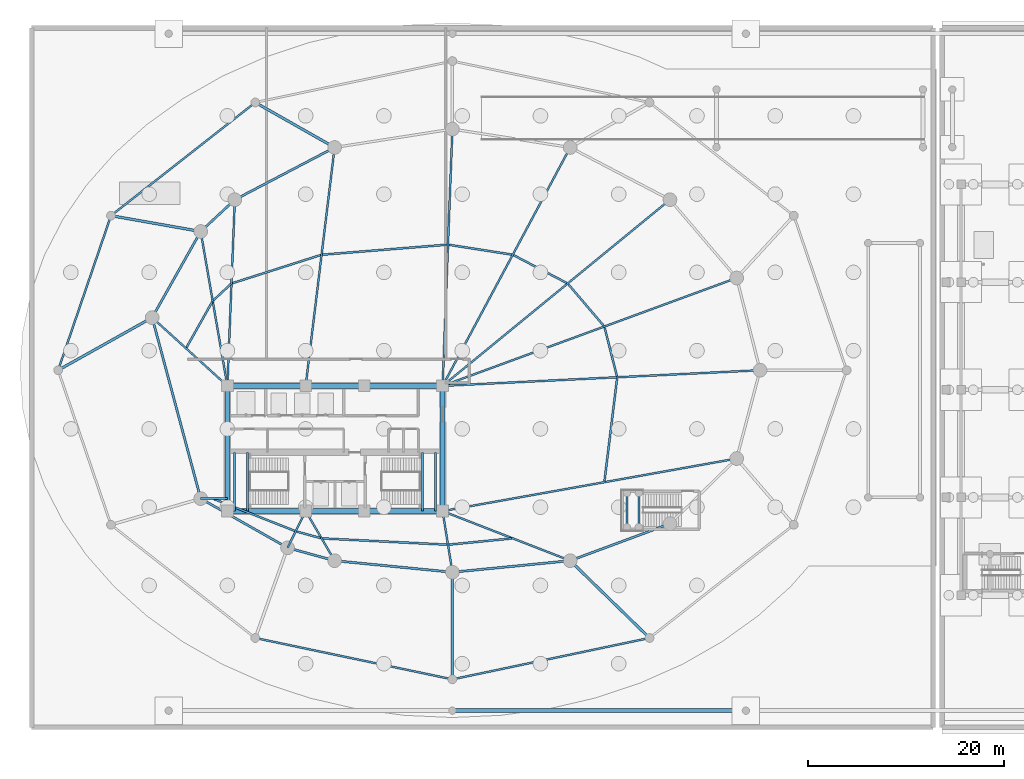
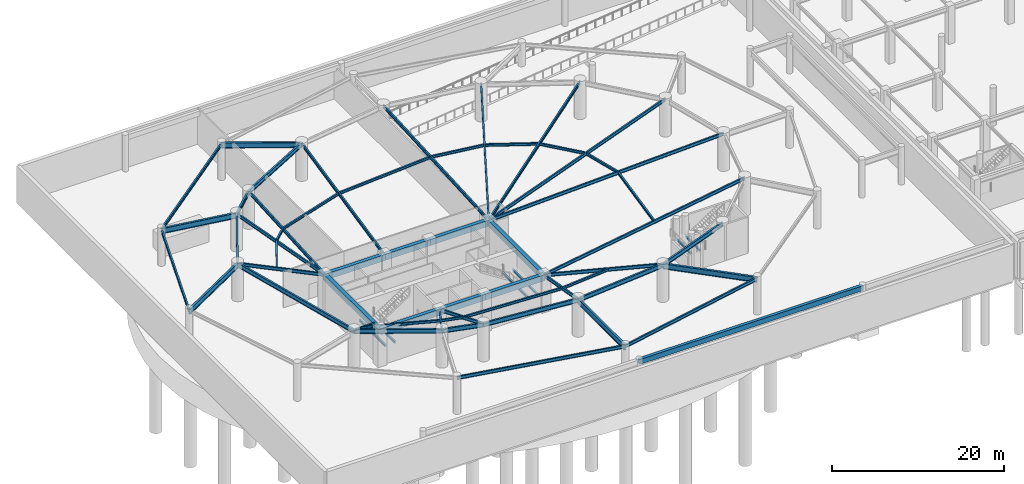
# One storey, part 3 of 22: 61 beams.
"""IFC4 building model written with IfcOpenShell, lengths in metres."""

import ifcopenshell
import ifcopenshell.guid

model = None  # the IFC model being written
_history = None  # IfcOwnerHistory: only IFC2X3 demands one
_inside = {}  # id of a spatial element -> (the spatial element, [elements in it])
_under = {}  # id of a project, library or spatial element -> (it, [spatial elements below it])
_declared = {}  # id of a project -> (the project, [libraries it declares])
_typed = {}  # id of a type object -> (the type object, [elements of that type])
_made_of = {}  # id of a material, layer set ... -> (it, [elements and type objects made of it])


def new_model(schema):
    """Start an empty IFC model of exactly this schema.

    Asked for "IFC4X3", IfcOpenShell would pick the latest addendum, in which some entities
    have other attributes; the version numbers below select the first issue.
    IFC2X3 requires an IfcOwnerHistory on every rooted entity: one is made here for all.
    """
    global model, _history
    if schema == "IFC4X3":
        model = ifcopenshell.file(schema_version=(4, 3, 0, 0))
    else:
        model = ifcopenshell.file(schema=schema)
    _inside.clear()
    _under.clear()
    _declared.clear()
    _typed.clear()
    _made_of.clear()
    _history = None
    if model.schema == "IFC2X3":
        org = make("IfcOrganization", Name="unknown")
        user = make(
            "IfcPersonAndOrganization",
            ThePerson=make("IfcPerson", FamilyName="unknown"),
            TheOrganization=org,
        )
        app = make(
            "IfcApplication",
            ApplicationDeveloper=org,
            Version="unknown",
            ApplicationFullName="unknown",
            ApplicationIdentifier="unknown",
        )
        _history = make(
            "IfcOwnerHistory",
            OwningUser=user,
            OwningApplication=app,
            ChangeAction="ADDED",
            CreationDate=0,
        )
    return model


def make(cls, **values):
    """One entity of the class cls with the attributes given. An attribute that is None is left unset."""
    return model.create_entity(
        cls, **{name: value for name, value in values.items() if value is not None}
    )


def rooted(cls, **values):
    """An entity with a GlobalId (a new one), such as an element, a storey or a relation."""
    return make(cls, GlobalId=ifcopenshell.guid.new(), OwnerHistory=_history, **values)


def si_unit(unit_type, name, prefix=None):
    """IfcSIUnit, for example si_unit("LENGTHUNIT", "METRE", prefix="MILLI")."""
    return make("IfcSIUnit", UnitType=unit_type, Prefix=prefix, Name=name)


def assignment(units):
    """IfcUnitAssignment: the units of a project."""
    return None if units is None else make("IfcUnitAssignment", Units=units)


def point(xyz):
    """IfcCartesianPoint."""
    return None if xyz is None else make("IfcCartesianPoint", Coordinates=xyz)


def direction(xyz):
    """IfcDirection."""
    return None if xyz is None else make("IfcDirection", DirectionRatios=xyz)


def frame(location, z_axis=None, x_axis=None):
    """IfcAxis2Placement3D, a coordinate frame: its origin and axes. An axis left out is left unset."""
    return make(
        "IfcAxis2Placement3D",
        Location=point(location),
        Axis=direction(z_axis),
        RefDirection=direction(x_axis),
    )


def frame_2d(location, x_axis=None):
    """IfcAxis2Placement2D, a coordinate frame in the plane: its origin and x axis."""
    return make(
        "IfcAxis2Placement2D", Location=point(location), RefDirection=direction(x_axis)
    )


def origin():
    """The frame at (0, 0, 0) with its axes left unset."""
    return frame((0.0, 0.0, 0.0))


def origin_2d():
    """The frame at (0, 0) in the plane with its x axis left unset."""
    return frame_2d((0.0, 0.0))


def place(relative_to, where):
    """IfcLocalPlacement: puts the frame where relative to a parent placement (None: the world)."""
    return make(
        "IfcLocalPlacement", PlacementRelTo=relative_to, RelativePlacement=where
    )


def context(
    kind, dimensions, precision=None, world=None, true_north=None, identifier=None
):
    """IfcGeometricRepresentationContext, for example the 3D "Model" context."""
    return make(
        "IfcGeometricRepresentationContext",
        ContextIdentifier=identifier,
        ContextType=kind,
        CoordinateSpaceDimension=dimensions,
        Precision=precision,
        WorldCoordinateSystem=world,
        TrueNorth=true_north,
    )


def subcontext(parent, identifier, kind, view, scale=None):
    """IfcGeometricRepresentationSubContext, for example "Body" below "Model"."""
    return make(
        "IfcGeometricRepresentationSubContext",
        ContextIdentifier=identifier,
        ContextType=kind,
        ParentContext=parent,
        TargetScale=scale,
        TargetView=view,
    )


def project(units=None, contexts=None):
    """IfcProject with its units and contexts."""
    return rooted(
        "IfcProject",
        Name="project",
        RepresentationContexts=contexts,
        UnitsInContext=assignment(units),
    )


def spatial(cls, under=None, at=None, **own):
    """A site, building, storey or space (cls), placed at a placement, below another one or the project."""
    s = rooted(cls, ObjectPlacement=at, **own)
    if under is not None:
        _under.setdefault(under.id(), (under, []))[1].append(s)
    return s


def profile(cls, at=None, kind="AREA", **sizes):
    """A parametric profile (cls). Its sizes go by their IFC names, for example OverallWidth=200.0."""
    return make(cls, ProfileType=kind, Position=at, **sizes)


def rectangle(**sizes):
    """IfcRectangleProfileDef."""
    return profile("IfcRectangleProfileDef", **sizes)


def i_section(**sizes):
    """IfcIShapeProfileDef."""
    return profile("IfcIShapeProfileDef", **sizes)


def extrude(swept, where, along, depth):
    """IfcExtrudedAreaSolid: the profile swept, set in the frame where, extruded along a direction by depth."""
    return make(
        "IfcExtrudedAreaSolid",
        SweptArea=swept,
        Position=where,
        ExtrudedDirection=direction(along),
        Depth=depth,
    )


def shape(context_of_items, identifier, shape_type, items):
    """IfcShapeRepresentation: the items that make up one representation, for example the "Body"."""
    return make(
        "IfcShapeRepresentation",
        ContextOfItems=context_of_items,
        RepresentationIdentifier=identifier,
        RepresentationType=shape_type,
        Items=items,
    )


def material(Name=None, Category=None):
    """IfcMaterial."""
    return make("IfcMaterial", Name=Name, Category=Category)


def material_profile(
    of_material, cross_section, Name=None, Category=None, Priority=None
):
    """IfcMaterialProfile: a cross section and its material."""
    return make(
        "IfcMaterialProfile",
        Name=Name,
        Material=of_material,
        Profile=cross_section,
        Priority=Priority,
        Category=Category,
    )


def profile_set(profiles, Name=None, composite=None):
    """IfcMaterialProfileSet."""
    return make(
        "IfcMaterialProfileSet",
        Name=Name,
        MaterialProfiles=profiles,
        CompositeProfile=composite,
    )


def made_of(thing, what):
    """Note that an element or type object is made of a material, layer set ...; save() writes the relation."""
    if what is not None:
        _made_of.setdefault(what.id(), (what, []))[1].append(thing)
    return thing


def type_object(cls, material=None, **own):
    """A type object (cls), such as IfcWallType, which elements share."""
    return made_of(rooted(cls, **own), material)


def element(
    cls,
    number,
    at=None,
    inside=None,
    cuts=None,
    type_object=None,
    material=None,
    context=None,
    identifier="Body",
    shape_type=None,
    held_by="IfcProductDefinitionShape",
    body=None,
    shapes=None,
    **own,
):
    """One element of the class cls, such as IfcWall. Its Tag is "e" and its number.

    at: its placement. inside: the storey or other place that contains it. cuts: it is an
    opening in that element (IfcRelVoidsElement). A single representation is given by context,
    identifier, shape_type and body (its items); several are given by shapes. held_by: the class
    of the entity that holds the representations. save() writes the other relations.
    """
    e = rooted(cls, Tag="e%d" % number, ObjectPlacement=at, **own)
    if body is not None:
        shapes = [shape(context, identifier, shape_type, body)]
    if shapes is not None:
        e.Representation = make(held_by, Representations=shapes)
    if inside is not None:
        _inside.setdefault(inside.id(), (inside, []))[1].append(e)
    if cuts is not None:
        rooted(
            "IfcRelVoidsElement", RelatingBuildingElement=cuts, RelatedOpeningElement=e
        )
    if type_object is not None:
        _typed.setdefault(type_object.id(), (type_object, []))[1].append(e)
    return made_of(e, material)


def aggregate(whole, parts):
    """IfcRelAggregates: a whole, such as a stair, and the parts it consists of."""
    return rooted("IfcRelAggregates", RelatingObject=whole, RelatedObjects=parts)


def save(model, path):
    """Write the relations noted so far, then the file.

    IfcRelAggregates (storeys below a building ...), IfcRelContainedInSpatialStructure (elements
    in a storey), IfcRelDefinesByType, IfcRelAssociatesMaterial and IfcRelDeclares: one each for
    every whole, place, type object, material and project.
    """
    for whole, parts in _under.values():
        aggregate(whole, parts)
    for where, things in _inside.values():
        rooted(
            "IfcRelContainedInSpatialStructure",
            RelatedElements=things,
            RelatingStructure=where,
        )
    for kind, things in _typed.values():
        rooted("IfcRelDefinesByType", RelatedObjects=things, RelatingType=kind)
    for what, things in _made_of.values():
        rooted("IfcRelAssociatesMaterial", RelatedObjects=things, RelatingMaterial=what)
    for by, libraries in _declared.values():
        rooted("IfcRelDeclares", RelatingContext=by, RelatedDefinitions=libraries)
    model.write(path)


model = new_model("IFC4")

# Units and contexts
model_context = context("Model", 3, precision=1e-05, world=origin(), true_north=direction((0.0, 1.0)))
body_context = subcontext(model_context, "Body", "Model", "MODEL_VIEW")
ifc_project = project(units=[si_unit("LENGTHUNIT", "METRE"), si_unit("AREAUNIT", "SQUARE_METRE"), si_unit("VOLUMEUNIT", "CUBIC_METRE"), si_unit("PLANEANGLEUNIT", "RADIAN"), si_unit("MASSUNIT", "GRAM", prefix="KILO")], contexts=[model_context])

# Site, building, storey
site_placement = place(None, origin())
site = spatial("IfcSite", under=ifc_project, at=site_placement, CompositionType="ELEMENT")
building_placement = place(site_placement, origin())
building = spatial("IfcBuilding", under=site, at=building_placement, Name="Kazevale Care Tower and Concert Hall", CompositionType="ELEMENT")
storey_placement = place(building_placement, frame((0.0, 0.0, -5.39990234375)))
storey = spatial("IfcBuildingStorey", under=building, at=storey_placement, Name="B1", CompositionType="ELEMENT", Elevation=-5.39990234375)

# Beams
ifc_material_1 = material(Name="Concrete C50", Category="concrete")
ifc_material_profile_1 = material_profile(ifc_material_1, rectangle(XDim=0.39990234375, YDim=0.699951171875, at=origin_2d()), Name="RC-B400x700")
ifc_profile_set_1 = profile_set([ifc_material_profile_1], Name="Concrete C50")
beam_type_1 = type_object("IfcBeamType", Name="Basement Frame Beam RC400x700", PredefinedType="BEAM", material=ifc_profile_set_1)
beam_1_placement = place(storey_placement, frame((45.0, 3.199951171875, 4.699951171875), z_axis=(1.0, 0.0, 0.0), x_axis=(0.0, 1.0, 0.0)))
element("IfcBeam", 1, at=beam_1_placement, inside=storey, type_object=beam_type_1, Name="beam:B1:pavbeam:2_3", PredefinedType="BEAM", context=body_context, shape_type="SweptSolid", body=[
    extrude(rectangle(XDim=0.39990234375, YDim=0.699951171875, at=origin_2d()), origin(), (0.0, 0.0, 1.0), 30.0),
])
ifc_material_2 = material(Name="Concrete C60", Category="concrete")
ifc_material_profile_2 = material_profile(ifc_material_2, rectangle(XDim=0.5, YDim=0.85009765625, at=origin_2d()), Name="RC-B500x850")
ifc_profile_set_2 = profile_set([ifc_material_profile_2], Name="Concrete C60")
beam_type_2 = type_object("IfcBeamType", Name="Core Coupling Beam RC500x850", PredefinedType="LINTEL", material=ifc_profile_set_2)
beam_2_placement = place(storey_placement, frame((22.0, 23.60009765625, 4.69482421875), z_axis=(1.0, 0.0, 0.0), x_axis=(0.0, 1.0, 0.0)))
element("IfcBeam", 2, at=beam_2_placement, inside=storey, type_object=beam_type_2, Name="beam:B1:coretie:1", PredefinedType="LINTEL", context=body_context, shape_type="SweptSolid", body=[
    extrude(rectangle(XDim=0.5, YDim=0.85009765625, at=origin_2d()), origin(), (0.0, 0.0, 1.0), 8.0),
])
beam_3_placement = place(storey_placement, frame((30.0, 23.60009765625, 4.69482421875), z_axis=(1.0, 0.0, 0.0), x_axis=(0.0, 1.0, 0.0)))
element("IfcBeam", 3, at=beam_3_placement, inside=storey, type_object=beam_type_2, Name="beam:B1:coretie:2", PredefinedType="LINTEL", context=body_context, shape_type="SweptSolid", body=[
    extrude(rectangle(XDim=0.5, YDim=0.85009765625, at=origin_2d()), origin(), (0.0, 0.0, 1.0), 6.0),
])
beam_4_placement = place(storey_placement, frame((36.0, 23.60009765625, 4.69482421875), z_axis=(1.0, 0.0, 0.0), x_axis=(0.0, 1.0, 0.0)))
element("IfcBeam", 4, at=beam_4_placement, inside=storey, type_object=beam_type_2, Name="beam:B1:coretie:3", PredefinedType="LINTEL", context=body_context, shape_type="SweptSolid", body=[
    extrude(rectangle(XDim=0.5, YDim=0.85009765625, at=origin_2d()), origin(), (0.0, 0.0, 1.0), 8.0),
])
beam_5_placement = place(storey_placement, frame((44.0, 23.60009765625, 4.69482421875), z_axis=(0.0, 1.0, 0.0), x_axis=(-1.0, 0.0, 0.0)))
element("IfcBeam", 5, at=beam_5_placement, inside=storey, type_object=beam_type_2, Name="beam:B1:coretie:4", PredefinedType="LINTEL", context=body_context, shape_type="SweptSolid", body=[
    extrude(rectangle(XDim=0.5, YDim=0.85009765625, at=origin_2d()), origin(), (0.0, 0.0, 1.0), 12.7998046875),
])
beam_6_placement = place(storey_placement, frame((44.0, 36.39990234375, 4.69482421875), z_axis=(-1.0, 0.0, 0.0), x_axis=(0.0, -1.0, 0.0)))
element("IfcBeam", 6, at=beam_6_placement, inside=storey, type_object=beam_type_2, Name="beam:B1:coretie:5", PredefinedType="LINTEL", context=body_context, shape_type="SweptSolid", body=[
    extrude(rectangle(XDim=0.5, YDim=0.85009765625, at=origin_2d()), origin(), (0.0, 0.0, 1.0), 8.0),
])
beam_7_placement = place(storey_placement, frame((36.0, 36.39990234375, 4.69482421875), z_axis=(-1.0, 0.0, 0.0), x_axis=(0.0, -1.0, 0.0)))
element("IfcBeam", 7, at=beam_7_placement, inside=storey, type_object=beam_type_2, Name="beam:B1:coretie:6", PredefinedType="LINTEL", context=body_context, shape_type="SweptSolid", body=[
    extrude(rectangle(XDim=0.5, YDim=0.85009765625, at=origin_2d()), origin(), (0.0, 0.0, 1.0), 6.0),
])
beam_8_placement = place(storey_placement, frame((30.0, 36.39990234375, 4.69482421875), z_axis=(-1.0, 0.0, 0.0), x_axis=(0.0, -1.0, 0.0)))
element("IfcBeam", 8, at=beam_8_placement, inside=storey, type_object=beam_type_2, Name="beam:B1:coretie:7", PredefinedType="LINTEL", context=body_context, shape_type="SweptSolid", body=[
    extrude(rectangle(XDim=0.5, YDim=0.85009765625, at=origin_2d()), origin(), (0.0, 0.0, 1.0), 8.0),
])
beam_9_placement = place(storey_placement, frame((22.0, 36.39990234375, 4.69482421875), z_axis=(0.0, -1.0, 0.0), x_axis=(1.0, 0.0, 0.0)))
element("IfcBeam", 9, at=beam_9_placement, inside=storey, type_object=beam_type_2, Name="beam:B1:coretie:8", PredefinedType="LINTEL", context=body_context, shape_type="SweptSolid", body=[
    extrude(rectangle(XDim=0.5, YDim=0.85009765625, at=origin_2d()), origin(), (0.0, 0.0, 1.0), 12.7998046875),
])
ifc_material_3 = material(Name="Steel ASTM A572 Gr 50", Category="steel")
ifc_material_profile_3 = material_profile(ifc_material_3, i_section(OverallWidth=0.194091796875, OverallDepth=0.468994140625, WebThickness=0.0126953125, FlangeThickness=0.0205078125, at=origin_2d()), Name="W460x106")
ifc_profile_set_3 = profile_set([ifc_material_profile_3], Name="Steel ASTM A572 Gr 50")
beam_type_3 = type_object("IfcBeamType", Name="Podium Floor Beam W460x106", PredefinedType="BEAM", material=ifc_profile_set_3)
beam_10_placement = place(storey_placement, frame((24.85009765625, 65.3701171875, 4.885498046875), z_axis=(-0.786816091325, -0.617187522907, 0.0), x_axis=(0.617187522907, -0.786816091325, 0.0)))
element("IfcBeam", 10, at=beam_10_placement, inside=storey, type_object=beam_type_3, Name="beam:B1:podring:05", PredefinedType="BEAM", context=body_context, shape_type="SweptSolid", body=[
    extrude(i_section(OverallWidth=0.194091796875, OverallDepth=0.468994140625, WebThickness=0.0126953125, FlangeThickness=0.0205078125, at=origin_2d()), origin(), (0.0, 0.0, 1.0), 18.746337890625),
])
beam_11_placement = place(storey_placement, frame((10.10009765625, 53.800048828125, 4.885498046875), z_axis=(-0.323412440773, -0.946258100707, 0.0), x_axis=(0.946258100707, -0.323412440773, 0.0)))
element("IfcBeam", 11, at=beam_11_placement, inside=storey, type_object=beam_type_3, Name="beam:B1:podring:06", PredefinedType="BEAM", context=body_context, shape_type="SweptSolid", body=[
    extrude(i_section(OverallWidth=0.194091796875, OverallDepth=0.468994140625, WebThickness=0.0126953125, FlangeThickness=0.0205078125, at=origin_2d()), origin(), (0.0, 0.0, 1.0), 16.697509765625),
])
for number, where, z_axis, x_axis, name in (
    (12, (24.85009765625, 10.6298828125, 4.885498046875), (0.978668137727, -0.205447502293, 0.0), (0.205447502293, 0.978668137727, 0.0), "beam:B1:podring:09"),
    (13, (45.0, 6.39990234375, 4.885498046875), (0.978668137727, 0.205447502293, 0.0), (-0.205447502293, 0.978668137727, 0.0), "beam:B1:podring:10"),
):
    element("IfcBeam", number, at=place(storey_placement, frame(where, z_axis=z_axis, x_axis=x_axis)), inside=storey, type_object=beam_type_3, Name=name, PredefinedType="BEAM", context=body_context, shape_type="SweptSolid", body=[
        extrude(i_section(OverallWidth=0.194091796875, OverallDepth=0.468994140625, WebThickness=0.0126953125, FlangeThickness=0.0205078125, at=origin_2d()), origin(), (0.0, 0.0, 1.0), 20.589111328125),
    ])
ifc_material_profile_4 = material_profile(ifc_material_3, i_section(OverallWidth=0.26806640625, OverallDepth=0.77001953125, WebThickness=0.015625, FlangeThickness=0.025390625, at=origin_2d()), Name="W760x196")
ifc_profile_set_4 = profile_set([ifc_material_profile_4], Name="Steel ASTM A572 Gr 50")
beam_type_4 = type_object("IfcBeamType", Name="Podium Primary Girder W760x196", PredefinedType="BEAM", material=ifc_profile_set_4)
beam_12_placement = place(storey_placement, frame((32.9599609375, 60.77001953125, 4.73486328125), z_axis=(-0.869814698665, 0.493378546338, 0.0), x_axis=(-0.493378546338, -0.869814698665, 0.0)))
element("IfcBeam", 14, at=beam_12_placement, inside=storey, type_object=beam_type_4, Name="beam:B1:podrad:05", PredefinedType="BEAM", context=body_context, shape_type="SweptSolid", body=[
    extrude(i_section(OverallWidth=0.26806640625, OverallDepth=0.77001953125, WebThickness=0.015625, FlangeThickness=0.025390625, at=origin_2d()), origin(), (0.0, 0.0, 1.0), 9.32373046875),
])
beam_13_placement = place(storey_placement, frame((19.27001953125, 52.179931640625, 4.73486328125), z_axis=(-0.984748698979, 0.17398275736, 0.0), x_axis=(-0.17398275736, -0.984748698979, 0.0)))
element("IfcBeam", 15, at=beam_13_placement, inside=storey, type_object=beam_type_4, Name="beam:B1:podrad:06", PredefinedType="BEAM", context=body_context, shape_type="SweptSolid", body=[
    extrude(i_section(OverallWidth=0.26806640625, OverallDepth=0.77001953125, WebThickness=0.015625, FlangeThickness=0.025390625, at=origin_2d()), origin(), (0.0, 0.0, 1.0), 9.31201171875),
])
beam_14_placement = place(storey_placement, frame((14.31005859375, 43.3798828125, 4.73486328125), z_axis=(-0.872574804498, -0.488480511951, 0.0), x_axis=(0.488480511951, -0.872574804498, 0.0)))
element("IfcBeam", 16, at=beam_14_placement, inside=storey, type_object=beam_type_4, Name="beam:B1:podrad:07", PredefinedType="BEAM", context=body_context, shape_type="SweptSolid", body=[
    extrude(i_section(OverallWidth=0.26806640625, OverallDepth=0.77001953125, WebThickness=0.015625, FlangeThickness=0.025390625, at=origin_2d()), origin(), (0.0, 0.0, 1.0), 11.013427734375),
])
beam_15_placement = place(storey_placement, frame((45.0, 17.35009765625, 4.73486328125), z_axis=(0.0, -1.0, 0.0), x_axis=(1.0, 0.0, 0.0)))
element("IfcBeam", 17, at=beam_15_placement, inside=storey, type_object=beam_type_4, Name="beam:B1:podrad:10", PredefinedType="BEAM", context=body_context, shape_type="SweptSolid", body=[
    extrude(i_section(OverallWidth=0.26806640625, OverallDepth=0.77001953125, WebThickness=0.015625, FlangeThickness=0.025390625, at=origin_2d()), origin(), (0.0, 0.0, 1.0), 10.9501953125),
])
beam_16_placement = place(storey_placement, frame((57.0400390625, 18.530029296875, 4.73486328125), z_axis=(0.716307795312, -0.697784452661, 0.0), x_axis=(0.697784452661, 0.716307795312, 0.0)))
element("IfcBeam", 18, at=beam_16_placement, inside=storey, type_object=beam_type_4, Name="beam:B1:podrad:11", PredefinedType="BEAM", context=body_context, shape_type="SweptSolid", body=[
    extrude(i_section(OverallWidth=0.26806640625, OverallDepth=0.77001953125, WebThickness=0.015625, FlangeThickness=0.025390625, at=origin_2d()), origin(), (0.0, 0.0, 1.0), 11.32177734375),
])
ifc_material_profile_5 = material_profile(ifc_material_3, i_section(OverallWidth=0.19091796875, OverallDepth=0.4599609375, WebThickness=0.010009765625, FlangeThickness=0.01611328125, at=origin_2d()), Name="W460x82")
ifc_profile_set_5 = profile_set([ifc_material_profile_5], Name="Steel ASTM A572 Gr 50")
beam_type_5 = type_object("IfcBeamType", Name="Radial Floor Beam W460x82", PredefinedType="BEAM", material=ifc_profile_set_5)
beam_17_placement = place(storey_placement, frame((44.0, 36.39990234375, 4.889892578125), z_axis=(0.998786488782, 0.049249871327, 0.0), x_axis=(-0.049249871327, 0.998786488782, 0.0)))
element("IfcBeam", 19, at=beam_17_placement, inside=storey, type_object=beam_type_5, Name="beam:B1:rad:01", PredefinedType="BEAM", context=body_context, shape_type="SweptSolid", body=[
    extrude(i_section(OverallWidth=0.19091796875, OverallDepth=0.4599609375, WebThickness=0.010009765625, FlangeThickness=0.01611328125, at=origin_2d()), origin(), (0.0, 0.0, 1.0), 32.4892578125),
])
beam_18_placement = place(storey_placement, frame((44.0, 36.39990234375, 4.889892578125), z_axis=(0.938795458019, 0.34447509054, 0.0), x_axis=(-0.34447509054, 0.938795458019, 0.0)))
element("IfcBeam", 20, at=beam_18_placement, inside=storey, type_object=beam_type_5, Name="beam:B1:rad:02", PredefinedType="BEAM", context=body_context, shape_type="SweptSolid", body=[
    extrude(i_section(OverallWidth=0.19091796875, OverallDepth=0.4599609375, WebThickness=0.010009765625, FlangeThickness=0.01611328125, at=origin_2d()), origin(), (0.0, 0.0, 1.0), 32.019775390625),
])
beam_19_placement = place(storey_placement, frame((44.0, 36.39990234375, 4.889892578125), z_axis=(0.773704467398, 0.633546681097, 0.0), x_axis=(-0.633546681097, 0.773704467398, 0.0)))
element("IfcBeam", 21, at=beam_19_placement, inside=storey, type_object=beam_type_5, Name="beam:B1:rad:03", PredefinedType="BEAM", context=body_context, shape_type="SweptSolid", body=[
    extrude(i_section(OverallWidth=0.19091796875, OverallDepth=0.4599609375, WebThickness=0.010009765625, FlangeThickness=0.01611328125, at=origin_2d()), origin(), (0.0, 0.0, 1.0), 30.037353515625),
])
beam_20_placement = place(storey_placement, frame((44.0, 36.39990234375, 4.889892578125), z_axis=(0.471788966953, 0.88171150081, 0.0), x_axis=(-0.88171150081, 0.471788966953, 0.0)))
element("IfcBeam", 22, at=beam_20_placement, inside=storey, type_object=beam_type_5, Name="beam:B1:rad:04", PredefinedType="BEAM", context=body_context, shape_type="SweptSolid", body=[
    extrude(i_section(OverallWidth=0.19091796875, OverallDepth=0.4599609375, WebThickness=0.010009765625, FlangeThickness=0.01611328125, at=origin_2d()), origin(), (0.0, 0.0, 1.0), 27.6396484375),
])
beam_21_placement = place(storey_placement, frame((44.0, 36.39990234375, 4.889892578125), z_axis=(0.038067625343, 0.999275165258, 0.0), x_axis=(-0.999275165258, 0.038067625343, 0.0)))
element("IfcBeam", 23, at=beam_21_placement, inside=storey, type_object=beam_type_5, Name="beam:B1:rad:05", PredefinedType="BEAM", context=body_context, shape_type="SweptSolid", body=[
    extrude(i_section(OverallWidth=0.19091796875, OverallDepth=0.4599609375, WebThickness=0.010009765625, FlangeThickness=0.01611328125, at=origin_2d()), origin(), (0.0, 0.0, 1.0), 26.26904296875),
])
beam_22_placement = place(storey_placement, frame((30.0, 36.39990234375, 4.889892578125), z_axis=(0.120572526662, 0.9927045209, 0.0), x_axis=(-0.9927045209, 0.120572526662, 0.0)))
element("IfcBeam", 24, at=beam_22_placement, inside=storey, type_object=beam_type_5, Name="beam:B1:rad:06", PredefinedType="BEAM", context=body_context, shape_type="SweptSolid", body=[
    extrude(i_section(OverallWidth=0.19091796875, OverallDepth=0.4599609375, WebThickness=0.010009765625, FlangeThickness=0.01611328125, at=origin_2d()), origin(), (0.0, 0.0, 1.0), 24.54931640625),
])
beam_23_placement = place(storey_placement, frame((22.0, 36.39990234375, 4.889892578125), z_axis=(0.039905581428, 0.999203455044, 0.0), x_axis=(-0.999203455044, 0.039905581428, 0.0)))
element("IfcBeam", 25, at=beam_23_placement, inside=storey, type_object=beam_type_5, Name="beam:B1:rad:07", PredefinedType="BEAM", context=body_context, shape_type="SweptSolid", body=[
    extrude(i_section(OverallWidth=0.19091796875, OverallDepth=0.4599609375, WebThickness=0.010009765625, FlangeThickness=0.01611328125, at=origin_2d()), origin(), (0.0, 0.0, 1.0), 19.045166015625),
])
beam_24_placement = place(storey_placement, frame((22.0, 36.39990234375, 4.889892578125), z_axis=(-0.170469986865, 0.985362868987, 0.0), x_axis=(-0.985362868987, -0.170469986865, 0.0)))
element("IfcBeam", 26, at=beam_24_placement, inside=storey, type_object=beam_type_5, Name="beam:B1:rad:08", PredefinedType="BEAM", context=body_context, shape_type="SweptSolid", body=[
    extrude(i_section(OverallWidth=0.19091796875, OverallDepth=0.4599609375, WebThickness=0.010009765625, FlangeThickness=0.01611328125, at=origin_2d()), origin(), (0.0, 0.0, 1.0), 16.014404296875),
])
beam_25_placement = place(storey_placement, frame((22.0, 36.39990234375, 4.889892578125), z_axis=(-0.740461073653, 0.672099247436, 0.0), x_axis=(-0.672099247436, -0.740461073653, 0.0)))
element("IfcBeam", 27, at=beam_25_placement, inside=storey, type_object=beam_type_5, Name="beam:B1:rad:09", PredefinedType="BEAM", context=body_context, shape_type="SweptSolid", body=[
    extrude(i_section(OverallWidth=0.19091796875, OverallDepth=0.4599609375, WebThickness=0.010009765625, FlangeThickness=0.01611328125, at=origin_2d()), origin(), (0.0, 0.0, 1.0), 10.38525390625),
])
beam_26_placement = place(storey_placement, frame((22.0, 24.8798828125, 4.889892578125), z_axis=(-1.0, 0.0, 0.0), x_axis=(0.0, -1.0, 0.0)))
element("IfcBeam", 28, at=beam_26_placement, inside=storey, type_object=beam_type_5, Name="beam:B1:rad:10", PredefinedType="BEAM", context=body_context, shape_type="SweptSolid", body=[
    extrude(i_section(OverallWidth=0.19091796875, OverallDepth=0.4599609375, WebThickness=0.010009765625, FlangeThickness=0.01611328125, at=origin_2d()), origin(), (0.0, 0.0, 1.0), 2.72998046875),
])
beam_27_placement = place(storey_placement, frame((30.0, 23.60009765625, 4.889892578125), z_axis=(-0.442443019162, -0.896796618412, 0.0), x_axis=(0.896796618412, -0.442443019162, 0.0)))
element("IfcBeam", 29, at=beam_27_placement, inside=storey, type_object=beam_type_5, Name="beam:B1:rad:11", PredefinedType="BEAM", context=body_context, shape_type="SweptSolid", body=[
    extrude(i_section(OverallWidth=0.19091796875, OverallDepth=0.4599609375, WebThickness=0.010009765625, FlangeThickness=0.01611328125, at=origin_2d()), origin(), (0.0, 0.0, 1.0), 4.181640625),
])
beam_28_placement = place(storey_placement, frame((30.0, 23.60009765625, 4.889892578125), z_axis=(0.50417868077, -0.86359936189, 0.0), x_axis=(0.86359936189, 0.50417868077, 0.0)))
element("IfcBeam", 30, at=beam_28_placement, inside=storey, type_object=beam_type_5, Name="beam:B1:rad:12", PredefinedType="BEAM", context=body_context, shape_type="SweptSolid", body=[
    extrude(i_section(OverallWidth=0.19091796875, OverallDepth=0.4599609375, WebThickness=0.010009765625, FlangeThickness=0.01611328125, at=origin_2d()), origin(), (0.0, 0.0, 1.0), 5.870849609375),
])
beam_29_placement = place(storey_placement, frame((44.0, 23.60009765625, 4.889892578125), z_axis=(0.157990501107, -0.987440631917, 0.0), x_axis=(0.987440631917, 0.157990501107, 0.0)))
element("IfcBeam", 31, at=beam_29_placement, inside=storey, type_object=beam_type_5, Name="beam:B1:rad:13", PredefinedType="BEAM", context=body_context, shape_type="SweptSolid", body=[
    extrude(i_section(OverallWidth=0.19091796875, OverallDepth=0.4599609375, WebThickness=0.010009765625, FlangeThickness=0.01611328125, at=origin_2d()), origin(), (0.0, 0.0, 1.0), 6.32958984375),
])
beam_30_placement = place(storey_placement, frame((44.0, 23.60009765625, 4.889892578125), z_axis=(0.932030212407, -0.362380577792, 0.0), x_axis=(0.362380577792, 0.932030212407, 0.0)))
element("IfcBeam", 32, at=beam_30_placement, inside=storey, type_object=beam_type_5, Name="beam:B1:rad:14", PredefinedType="BEAM", context=body_context, shape_type="SweptSolid", body=[
    extrude(i_section(OverallWidth=0.19091796875, OverallDepth=0.4599609375, WebThickness=0.010009765625, FlangeThickness=0.01611328125, at=origin_2d()), origin(), (0.0, 0.0, 1.0), 13.990966796875),
])
beam_31_placement = place(storey_placement, frame((44.0, 23.60009765625, 4.889892578125), z_axis=(0.984416208219, 0.175854283415, 0.0), x_axis=(-0.175854283415, 0.984416208219, 0.0)))
element("IfcBeam", 33, at=beam_31_placement, inside=storey, type_object=beam_type_5, Name="beam:B1:rad:16", PredefinedType="BEAM", context=body_context, shape_type="SweptSolid", body=[
    extrude(i_section(OverallWidth=0.19091796875, OverallDepth=0.4599609375, WebThickness=0.010009765625, FlangeThickness=0.01611328125, at=origin_2d()), origin(), (0.0, 0.0, 1.0), 30.535888671875),
])
ifc_material_profile_6 = material_profile(ifc_material_3, i_section(OverallWidth=0.22900390625, OverallDepth=0.612060546875, WebThickness=0.011962890625, FlangeThickness=0.01953125, at=origin_2d()), Name="W610x125")
ifc_profile_set_6 = profile_set([ifc_material_profile_6], Name="Steel ASTM A572 Gr 50")
beam_type_6 = type_object("IfcBeamType", Name="Ring Spandrel Beam W610x125", PredefinedType="SPANDREL", material=ifc_profile_set_6)
beam_32_placement = place(storey_placement, frame((32.9599609375, 60.77001953125, 4.81396484375), z_axis=(-0.885929466679, -0.463819986708, 0.0), x_axis=(0.463819986708, -0.885929466679, 0.0)))
element("IfcBeam", 34, at=beam_32_placement, inside=storey, type_object=beam_type_6, Name="beam:B1:ring:06", PredefinedType="SPANDREL", context=body_context, shape_type="SweptSolid", body=[
    extrude(i_section(OverallWidth=0.22900390625, OverallDepth=0.612060546875, WebThickness=0.011962890625, FlangeThickness=0.01953125, at=origin_2d()), origin(), (0.0, 0.0, 1.0), 11.51318359375),
])
beam_33_placement = place(storey_placement, frame((22.760009765625, 55.429931640625, 4.81396484375), z_axis=(-0.731820896228, -0.681497010884, 0.0), x_axis=(0.681497010884, -0.731820896228, 0.0)))
element("IfcBeam", 35, at=beam_33_placement, inside=storey, type_object=beam_type_6, Name="beam:B1:ring:07", PredefinedType="SPANDREL", context=body_context, shape_type="SweptSolid", body=[
    extrude(i_section(OverallWidth=0.22900390625, OverallDepth=0.612060546875, WebThickness=0.011962890625, FlangeThickness=0.01953125, at=origin_2d()), origin(), (0.0, 0.0, 1.0), 4.768798828125),
])
beam_34_placement = place(storey_placement, frame((19.27001953125, 52.179931640625, 4.81396484375), z_axis=(-0.491008061092, -0.87115502865, 0.0), x_axis=(0.87115502865, -0.491008061092, 0.0)))
element("IfcBeam", 36, at=beam_34_placement, inside=storey, type_object=beam_type_6, Name="beam:B1:ring:08", PredefinedType="SPANDREL", context=body_context, shape_type="SweptSolid", body=[
    extrude(i_section(OverallWidth=0.22900390625, OverallDepth=0.612060546875, WebThickness=0.011962890625, FlangeThickness=0.01953125, at=origin_2d()), origin(), (0.0, 0.0, 1.0), 10.1015625),
])
beam_35_placement = place(storey_placement, frame((14.31005859375, 43.3798828125, 4.81396484375), z_axis=(0.258960352031, -0.965887952133, 0.0), x_axis=(0.965887952133, 0.258960352031, 0.0)))
element("IfcBeam", 37, at=beam_35_placement, inside=storey, type_object=beam_type_6, Name="beam:B1:ring:09", PredefinedType="SPANDREL", context=body_context, shape_type="SweptSolid", body=[
    extrude(i_section(OverallWidth=0.22900390625, OverallDepth=0.612060546875, WebThickness=0.011962890625, FlangeThickness=0.01953125, at=origin_2d()), origin(), (0.0, 0.0, 1.0), 19.1533203125),
])
beam_36_placement = place(storey_placement, frame((19.27001953125, 24.8798828125, 4.81396484375), z_axis=(0.870112469479, -0.492853213906, 0.0), x_axis=(0.492853213906, 0.870112469479, 0.0)))
element("IfcBeam", 38, at=beam_36_placement, inside=storey, type_object=beam_type_6, Name="beam:B1:ring:10", PredefinedType="SPANDREL", context=body_context, shape_type="SweptSolid", body=[
    extrude(i_section(OverallWidth=0.22900390625, OverallDepth=0.612060546875, WebThickness=0.011962890625, FlangeThickness=0.01953125, at=origin_2d()), origin(), (0.0, 0.0, 1.0), 10.205322265625),
])
beam_37_placement = place(storey_placement, frame((28.14990234375, 19.85009765625, 4.81396484375), z_axis=(0.964343540473, -0.264653615031, 0.0), x_axis=(0.264653615031, 0.964343540473, 0.0)))
element("IfcBeam", 39, at=beam_37_placement, inside=storey, type_object=beam_type_6, Name="beam:B1:ring:11", PredefinedType="SPANDREL", context=body_context, shape_type="SweptSolid", body=[
    extrude(i_section(OverallWidth=0.22900390625, OverallDepth=0.612060546875, WebThickness=0.011962890625, FlangeThickness=0.01953125, at=origin_2d()), origin(), (0.0, 0.0, 1.0), 4.98779296875),
])
for number, where, z_axis, x_axis, name in (
    (40, (32.9599609375, 18.530029296875, 4.81396484375), (0.995232251602, -0.09753340644, 0.0), (0.09753340644, 0.995232251602, 0.0), "beam:B1:ring:12"),
    (41, (45.0, 17.35009765625, 4.81396484375), (0.995232251602, 0.09753340644, 0.0), (-0.09753340644, 0.995232251602, 0.0), "beam:B1:ring:13"),
):
    element("IfcBeam", number, at=place(storey_placement, frame(where, z_axis=z_axis, x_axis=x_axis)), inside=storey, type_object=beam_type_6, Name=name, PredefinedType="SPANDREL", context=body_context, shape_type="SweptSolid", body=[
        extrude(i_section(OverallWidth=0.22900390625, OverallDepth=0.612060546875, WebThickness=0.011962890625, FlangeThickness=0.01953125, at=origin_2d()), origin(), (0.0, 0.0, 1.0), 12.09765625),
    ])
beam_38_placement = place(storey_placement, frame((57.0400390625, 18.530029296875, 4.81396484375), z_axis=(0.937680788596, 0.347497825458, 0.0), x_axis=(-0.347497825458, 0.937680788596, 0.0)))
element("IfcBeam", 42, at=beam_38_placement, inside=storey, type_object=beam_type_6, Name="beam:B1:ring:14", PredefinedType="SPANDREL", context=body_context, shape_type="SweptSolid", body=[
    extrude(i_section(OverallWidth=0.22900390625, OverallDepth=0.612060546875, WebThickness=0.011962890625, FlangeThickness=0.01953125, at=origin_2d()), origin(), (0.0, 0.0, 1.0), 10.8779296875),
])
ifc_material_profile_7 = material_profile(ifc_material_3, i_section(OverallWidth=0.205078125, OverallDepth=0.35400390625, WebThickness=0.009521484375, FlangeThickness=0.016845703125, at=origin_2d()), Name="W360x79")
ifc_profile_set_7 = profile_set([ifc_material_profile_7], Name="Steel ASTM A572 Gr 50")
beam_type_7 = type_object("IfcBeamType", Name="Secondary Floor Joist W360x79", PredefinedType="JOIST", material=ifc_profile_set_7)
beam_39_placement = place(storey_placement, frame((61.822021484375, 37.382080078125, 4.94287109375), z_axis=(-0.24568570229, 0.969349542575, 0.0), x_axis=(-0.969349542575, -0.24568570229, 0.0)))
element("IfcBeam", 43, at=beam_39_placement, inside=storey, type_object=beam_type_7, Name="beam:B1:joist:01", PredefinedType="JOIST", context=body_context, shape_type="SweptSolid", body=[
    extrude(i_section(OverallWidth=0.205078125, OverallDepth=0.35400390625, WebThickness=0.009521484375, FlangeThickness=0.016845703125, at=origin_2d()), origin(), (0.0, 0.0, 1.0), 5.140380859375),
])
beam_40_placement = place(storey_placement, frame((60.465087890625, 42.5458984375, 4.94287109375), z_axis=(-0.648685510477, 0.761056573783, 0.0), x_axis=(-0.761056573783, -0.648685510477, 0.0)))
element("IfcBeam", 44, at=beam_40_placement, inside=storey, type_object=beam_type_7, Name="beam:B1:joist:02", PredefinedType="JOIST", context=body_context, shape_type="SweptSolid", body=[
    extrude(i_section(OverallWidth=0.205078125, OverallDepth=0.35400390625, WebThickness=0.009521484375, FlangeThickness=0.016845703125, at=origin_2d()), origin(), (0.0, 0.0, 1.0), 5.57275390625),
])
beam_41_placement = place(storey_placement, frame((56.68896484375, 46.9150390625, 4.94287109375), z_axis=(-0.885921274797, 0.463835633454, 0.0), x_axis=(-0.463835633454, -0.885921274797, 0.0)))
element("IfcBeam", 45, at=beam_41_placement, inside=storey, type_object=beam_type_7, Name="beam:B1:joist:03", PredefinedType="JOIST", context=body_context, shape_type="SweptSolid", body=[
    extrude(i_section(OverallWidth=0.205078125, OverallDepth=0.35400390625, WebThickness=0.009521484375, FlangeThickness=0.016845703125, at=origin_2d()), origin(), (0.0, 0.0, 1.0), 6.12255859375),
])
beam_42_placement = place(storey_placement, frame((51.068115234375, 49.820068359375, 4.94287109375), z_axis=(-0.988040697826, 0.154193318403, 0.0), x_axis=(-0.154193318403, -0.988040697826, 0.0)))
element("IfcBeam", 46, at=beam_42_placement, inside=storey, type_object=beam_type_7, Name="beam:B1:joist:04", PredefinedType="JOIST", context=body_context, shape_type="SweptSolid", body=[
    extrude(i_section(OverallWidth=0.205078125, OverallDepth=0.35400390625, WebThickness=0.009521484375, FlangeThickness=0.016845703125, at=origin_2d()), origin(), (0.0, 0.0, 1.0), 6.49169921875),
])
beam_43_placement = place(storey_placement, frame((44.445068359375, 50.8291015625, 4.94287109375), z_axis=(-0.996814548036, -0.079754353015, 0.0), x_axis=(0.079754353015, -0.996814548036, 0.0)))
element("IfcBeam", 47, at=beam_43_placement, inside=storey, type_object=beam_type_7, Name="beam:B1:joist:05", PredefinedType="JOIST", context=body_context, shape_type="SweptSolid", body=[
    extrude(i_section(OverallWidth=0.205078125, OverallDepth=0.35400390625, WebThickness=0.009521484375, FlangeThickness=0.016845703125, at=origin_2d()), origin(), (0.0, 0.0, 1.0), 12.752685546875),
])
beam_44_placement = place(storey_placement, frame((31.528076171875, 49.77197265625, 4.94287109375), z_axis=(-0.9527054955, -0.303895111584, 0.0), x_axis=(0.303895111584, -0.9527054955, 0.0)))
element("IfcBeam", 48, at=beam_44_placement, inside=storey, type_object=beam_type_7, Name="beam:B1:joist:06", PredefinedType="JOIST", context=body_context, shape_type="SweptSolid", body=[
    extrude(i_section(OverallWidth=0.205078125, OverallDepth=0.35400390625, WebThickness=0.009521484375, FlangeThickness=0.016845703125, at=origin_2d()), origin(), (0.0, 0.0, 1.0), 9.457275390625),
])
beam_45_placement = place(storey_placement, frame((22.341064453125, 46.794921875, 4.94287109375), z_axis=(-0.73194965424, -0.68135871878, 0.0), x_axis=(0.68135871878, -0.73194965424, 0.0)))
element("IfcBeam", 49, at=beam_45_placement, inside=storey, type_object=beam_type_7, Name="beam:B1:joist:07", PredefinedType="JOIST", context=body_context, shape_type="SweptSolid", body=[
    extrude(i_section(OverallWidth=0.205078125, OverallDepth=0.35400390625, WebThickness=0.009521484375, FlangeThickness=0.016845703125, at=origin_2d()), origin(), (0.0, 0.0, 1.0), 2.412841796875),
])
beam_46_placement = place(storey_placement, frame((20.447021484375, 44.988037109375, 4.94287109375), z_axis=(-0.490956987312, -0.871183813331, 0.0), x_axis=(0.871183813331, -0.490956987312, 0.0)))
element("IfcBeam", 50, at=beam_46_placement, inside=storey, type_object=beam_type_7, Name="beam:B1:joist:08", PredefinedType="JOIST", context=body_context, shape_type="SweptSolid", body=[
    extrude(i_section(OverallWidth=0.205078125, OverallDepth=0.35400390625, WebThickness=0.009521484375, FlangeThickness=0.016845703125, at=origin_2d()), origin(), (0.0, 0.0, 1.0), 5.3466796875),
])
beam_47_placement = place(storey_placement, frame((20.595947265625, 24.842041015625, 4.94287109375), z_axis=(0.930380638802, -0.366594963062, 0.0), x_axis=(0.366594963062, 0.930380638802, 0.0)))
element("IfcBeam", 51, at=beam_47_placement, inside=storey, type_object=beam_type_7, Name="beam:B1:joist:10", PredefinedType="JOIST", context=body_context, shape_type="SweptSolid", body=[
    extrude(i_section(OverallWidth=0.205078125, OverallDepth=0.35400390625, WebThickness=0.009521484375, FlangeThickness=0.016845703125, at=origin_2d()), origin(), (0.0, 0.0, 1.0), 8.909423828125),
])
beam_48_placement = place(storey_placement, frame((29.083984375, 21.510009765625, 4.94287109375), z_axis=(0.964302027389, -0.264804833743, 0.0), x_axis=(0.264804833743, 0.964302027389, 0.0)))
element("IfcBeam", 52, at=beam_48_placement, inside=storey, type_object=beam_type_7, Name="beam:B1:joist:11", PredefinedType="JOIST", context=body_context, shape_type="SweptSolid", body=[
    extrude(i_section(OverallWidth=0.205078125, OverallDepth=0.35400390625, WebThickness=0.009521484375, FlangeThickness=0.016845703125, at=origin_2d()), origin(), (0.0, 0.0, 1.0), 2.533447265625),
])
beam_49_placement = place(storey_placement, frame((31.73291015625, 20.805908203125, 4.94287109375), z_axis=(0.998743186005, -0.050120339262, 0.0), x_axis=(0.050120339262, 0.998743186005, 0.0)))
element("IfcBeam", 53, at=beam_49_placement, inside=storey, type_object=beam_type_7, Name="beam:B1:joist:12", PredefinedType="JOIST", context=body_context, shape_type="SweptSolid", body=[
    extrude(i_section(OverallWidth=0.205078125, OverallDepth=0.35400390625, WebThickness=0.009521484375, FlangeThickness=0.016845703125, at=origin_2d()), origin(), (0.0, 0.0, 1.0), 12.728271484375),
])
beam_50_placement = place(storey_placement, frame((44.654052734375, 20.173095703125, 4.94287109375), z_axis=(0.995242075791, 0.097433108212, 0.0), x_axis=(-0.097433108212, 0.995242075791, 0.0)))
element("IfcBeam", 54, at=beam_50_placement, inside=storey, type_object=beam_type_7, Name="beam:B1:joist:13", PredefinedType="JOIST", context=body_context, shape_type="SweptSolid", body=[
    extrude(i_section(OverallWidth=0.205078125, OverallDepth=0.35400390625, WebThickness=0.009521484375, FlangeThickness=0.016845703125, at=origin_2d()), origin(), (0.0, 0.0, 1.0), 6.44482421875),
])
beam_51_placement = place(storey_placement, frame((60.5458984375, 26.657958984375, 4.94287109375), z_axis=(0.1216468088, 0.992573450133, 0.0), x_axis=(-0.992573450133, 0.1216468088, 0.0)))
element("IfcBeam", 55, at=beam_51_placement, inside=storey, type_object=beam_type_7, Name="beam:B1:joist:16", PredefinedType="JOIST", context=body_context, shape_type="SweptSolid", body=[
    extrude(i_section(OverallWidth=0.205078125, OverallDepth=0.35400390625, WebThickness=0.009521484375, FlangeThickness=0.016845703125, at=origin_2d()), origin(), (0.0, 0.0, 1.0), 10.5966796875),
])
ifc_material_profile_8 = material_profile(ifc_material_3, i_section(OverallWidth=0.202880859375, OverallDepth=0.302978515625, WebThickness=0.007568359375, FlangeThickness=0.01318359375, at=origin_2d()), Name="W310x60")
ifc_profile_set_8 = profile_set([ifc_material_profile_8], Name="Steel ASTM A572 Gr 50")
beam_type_8 = type_object("IfcBeamType", Name="Stair & Balcony Trimmer W310x60", PredefinedType="BEAM", material=ifc_profile_set_8)
for number, where, z_axis, x_axis, name in (
    (56, (22.75, 23.60009765625, 2.348388671875), (0.0, 1.0, 0.0), (-1.0, 0.0, 0.0), "beam:B1:sttrim:ST1"),
    (57, (24.050048828125, 23.60009765625, 2.348388671875), (0.0, 1.0, 0.0), (-1.0, 0.0, 0.0), "beam:B1:sttrim:ST1b"),
    (58, (41.949951171875, 23.60009765625, 2.348388671875), (0.0, 1.0, 0.0), (-1.0, 0.0, 0.0), "beam:B1:sttrim:ST2"),
    (59, (43.25, 23.60009765625, 2.348388671875), (0.0, 1.0, 0.0), (-1.0, 0.0, 0.0), "beam:B1:sttrim:ST2b"),
):
    element("IfcBeam", number, at=place(storey_placement, frame(where, z_axis=z_axis, x_axis=x_axis)), inside=storey, type_object=beam_type_8, Name=name, PredefinedType="BEAM", context=body_context, shape_type="SweptSolid", body=[
        extrude(i_section(OverallWidth=0.202880859375, OverallDepth=0.302978515625, WebThickness=0.007568359375, FlangeThickness=0.01318359375, at=origin_2d()), origin(), (0.0, 0.0, 1.0), 6.0),
    ])
for number, where, z_axis, x_axis, name in (
    (60, (62.85009765625, 21.949951171875, 2.348388671875), (0.0, 1.0, 0.0), (-1.0, 0.0, 0.0), "beam:B1:st3trim:1"),
    (61, (64.050048828125, 21.949951171875, 2.348388671875), (0.0, 1.0, 0.0), (-1.0, 0.0, 0.0), "beam:B1:st3trim:2"),
):
    element("IfcBeam", number, at=place(storey_placement, frame(where, z_axis=z_axis, x_axis=x_axis)), inside=storey, type_object=beam_type_8, Name=name, PredefinedType="BEAM", context=body_context, shape_type="SweptSolid", body=[
        extrude(i_section(OverallWidth=0.202880859375, OverallDepth=0.302978515625, WebThickness=0.007568359375, FlangeThickness=0.01318359375, at=origin_2d()), origin(), (0.0, 0.0, 1.0), 3.5),
    ])

save(model, "model.ifc")
